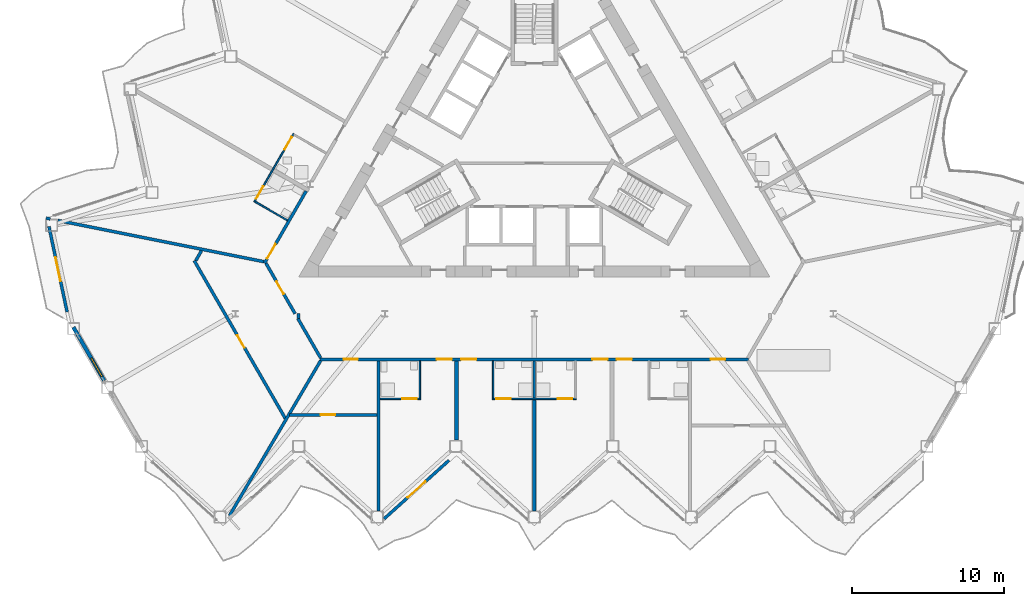
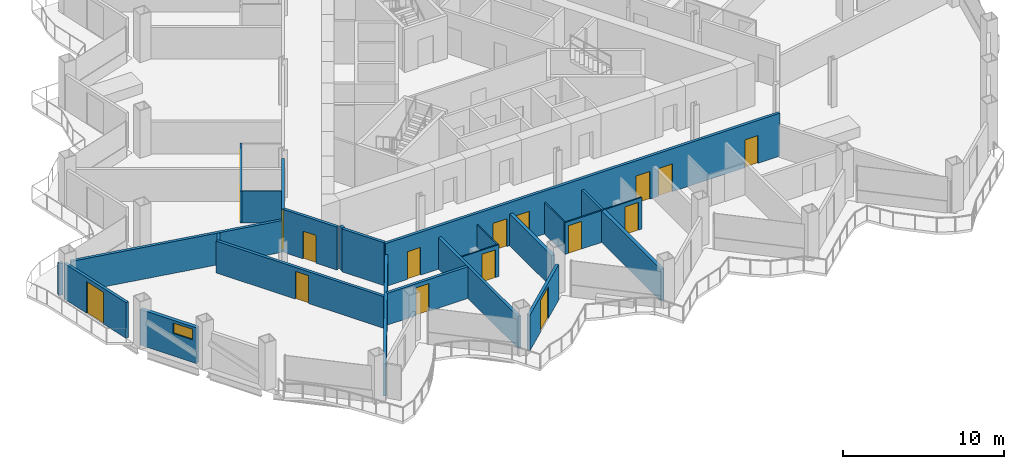
# One storey, part 10 of 23: 24 walls, 17 doors, 1 window, 18 openings.
"""IFC4 building model written with IfcOpenShell, lengths in metres."""

from ifc_helpers import new_model, si_unit, direction, frame, frame_2d, origin, place, context, subcontext, project, spatial, rectangle, extrude, material, layer, layer_set, type_object, element, fill, save


model = new_model("IFC4")

# Units and contexts
model_context = context("Model", 3, precision=1e-05, world=origin(), true_north=direction((0.0, 1.0)))
body_context = subcontext(model_context, "Body", "Model", "MODEL_VIEW")
ifc_project = project(units=[si_unit("LENGTHUNIT", "METRE"), si_unit("AREAUNIT", "SQUARE_METRE"), si_unit("VOLUMEUNIT", "CUBIC_METRE"), si_unit("PLANEANGLEUNIT", "RADIAN"), si_unit("MASSUNIT", "GRAM", prefix="KILO")], contexts=[model_context])

# Site, building, storey
site_placement = place(None, origin())
site = spatial("IfcSite", under=ifc_project, at=site_placement, CompositionType="ELEMENT")
building_placement = place(site_placement, origin())
building = spatial("IfcBuilding", under=site, at=building_placement, Name="Cormorant Prow Tower", CompositionType="ELEMENT")
storey_placement = place(building_placement, frame((0.0, 0.0, 172.800048828125)))
storey = spatial("IfcBuildingStorey", under=building, at=storey_placement, Name="L36", CompositionType="ELEMENT", Elevation=172.800048828125)

# Wall, openings, doors
ifc_material_1 = material(Name="Gypsum board corridor wall")
ifc_layer_1 = layer(ifc_material_1, 0.199951171875)
ifc_layer_set_1 = layer_set([ifc_layer_1], Name="Gypsum board corridor wall")
wall_type_1 = type_object("IfcWallType", Name="Corridor wall 200", PredefinedType="PARTITIONING", material=ifc_layer_set_1)
wall_1_placement = place(storey_placement, frame((-14.098876953125, -14.348876953125, 0.0), z_axis=(0.0, 0.0, 1.0), x_axis=(1.0, 0.0, 0.0)))
wall_1 = element("IfcWall", 1, at=wall_1_placement, inside=storey, type_object=wall_type_1, Name="Corridor wall", PredefinedType="PARTITIONING", context=body_context, shape_type="SweptSolid", body=[
    extrude(rectangle(XDim=28.19775390625, YDim=0.199951171875, at=frame_2d((14.098876953125, 0.0))), origin(), (0.0, 0.0, 1.0), 3.25),
])
opening_1_placement = place(wall_1_placement, frame((1.55224609375, 0.0, 0.0)))
opening_1 = element("IfcOpeningElement", 2, at=opening_1_placement, cuts=wall_1, Name="Opening L36-F01", PredefinedType="OPENING", context=body_context, shape_type="SweptSolid", body=[
    extrude(rectangle(XDim=0.949951171875, YDim=2.10009765625, at=frame_2d((0.47509765625, 1.050048828125))), frame((0.0, 0.10986328125, 0.0), z_axis=(0.0, -1.0, 0.0), x_axis=(1.0, 0.0, 0.0)), (0.0, 0.0, 1.0), 0.219970703125),
])
opening_2_placement = place(wall_1_placement, frame((7.67724609375, 0.0, 0.0)))
opening_2 = element("IfcOpeningElement", 3, at=opening_2_placement, cuts=wall_1, Name="Opening L36-F03", PredefinedType="OPENING", context=body_context, shape_type="SweptSolid", body=[
    extrude(rectangle(XDim=1.0, YDim=2.10009765625, at=frame_2d((0.5, 1.050048828125))), frame((0.0, 0.10986328125, 0.0), z_axis=(0.0, -1.0, 0.0), x_axis=(1.0, 0.0, 0.0)), (0.0, 0.0, 1.0), 0.219970703125),
])
opening_3_placement = place(wall_1_placement, frame((9.283203125, 0.0, 0.0)))
opening_3 = element("IfcOpeningElement", 4, at=opening_3_placement, cuts=wall_1, Name="Opening L36-F05", PredefinedType="OPENING", context=body_context, shape_type="SweptSolid", body=[
    extrude(rectangle(XDim=1.0, YDim=2.10009765625, at=frame_2d((0.5, 1.050048828125))), frame((0.0, 0.10986328125, 0.0), z_axis=(0.0, -1.0, 0.0), x_axis=(1.0, 0.0, 0.0)), (0.0, 0.0, 1.0), 0.219970703125),
])
opening_4_placement = place(wall_1_placement, frame((17.914794921875, 0.0, 0.0)))
opening_4 = element("IfcOpeningElement", 5, at=opening_4_placement, cuts=wall_1, Name="Opening L36-F07", PredefinedType="OPENING", context=body_context, shape_type="SweptSolid", body=[
    extrude(rectangle(XDim=1.0, YDim=2.10009765625, at=frame_2d((0.5, 1.050048828125))), frame((0.0, 0.10986328125, 0.0), z_axis=(0.0, -1.0, 0.0), x_axis=(1.0, 0.0, 0.0)), (0.0, 0.0, 1.0), 0.219970703125),
])
opening_5_placement = place(wall_1_placement, frame((19.5205078125, 0.0, 0.0)))
opening_5 = element("IfcOpeningElement", 6, at=opening_5_placement, cuts=wall_1, Name="Opening L36-F09", PredefinedType="OPENING", context=body_context, shape_type="SweptSolid", body=[
    extrude(rectangle(XDim=1.0, YDim=2.10009765625, at=frame_2d((0.5, 1.050048828125))), frame((0.0, 0.10986328125, 0.0), z_axis=(0.0, -1.0, 0.0), x_axis=(1.0, 0.0, 0.0)), (0.0, 0.0, 1.0), 0.219970703125),
])
opening_6_placement = place(wall_1_placement, frame((25.695556640625, 0.0, 0.0)))
opening_6 = element("IfcOpeningElement", 7, at=opening_6_placement, cuts=wall_1, Name="Opening L36-F11", PredefinedType="OPENING", context=body_context, shape_type="SweptSolid", body=[
    extrude(rectangle(XDim=0.949951171875, YDim=2.10009765625, at=frame_2d((0.47509765625, 1.050048828125))), frame((0.0, 0.10986328125, 0.0), z_axis=(0.0, -1.0, 0.0), x_axis=(1.0, 0.0, 0.0)), (0.0, 0.0, 1.0), 0.219970703125),
])
ifc_material_2 = material(Name="Timber door leaf", Category="wood")
door_type_1 = type_object("IfcDoorType", Name="Flat or room entrance door 1000x2100", OperationType="NOTDEFINED", PredefinedType="DOOR", material=ifc_material_2)
door_1_placement = place(opening_2_placement, origin())
door_1 = element("IfcDoor", 8, at=door_1_placement, inside=storey, type_object=door_type_1, Name="Guest room door", OperationType="SINGLE_SWING_RIGHT", OverallHeight=2.10009765625, OverallWidth=1.0, PredefinedType="DOOR", context=body_context, shape_type="SweptSolid", body=[
    extrude(rectangle(XDim=1.0, YDim=2.10009765625, at=frame_2d((0.5, 1.050048828125))), frame((0.0, 0.02490234375, 0.0), z_axis=(0.0, -1.0, 0.0), x_axis=(1.0, 0.0, 0.0)), (0.0, 0.0, 1.0), 0.050048828125),
])
fill(opening_2, door_1)
door_2_placement = place(opening_3_placement, origin())
door_2 = element("IfcDoor", 9, at=door_2_placement, inside=storey, type_object=door_type_1, Name="Guest room door", OperationType="SINGLE_SWING_LEFT", OverallHeight=2.10009765625, OverallWidth=1.0, PredefinedType="DOOR", context=body_context, shape_type="SweptSolid", body=[
    extrude(rectangle(XDim=1.0, YDim=2.10009765625, at=frame_2d((0.5, 1.050048828125))), frame((0.0, 0.02490234375, 0.0), z_axis=(0.0, -1.0, 0.0), x_axis=(1.0, 0.0, 0.0)), (0.0, 0.0, 1.0), 0.050048828125),
])
fill(opening_3, door_2)
door_3_placement = place(opening_4_placement, origin())
door_3 = element("IfcDoor", 10, at=door_3_placement, inside=storey, type_object=door_type_1, Name="Guest room door", OperationType="SINGLE_SWING_RIGHT", OverallHeight=2.10009765625, OverallWidth=1.0, PredefinedType="DOOR", context=body_context, shape_type="SweptSolid", body=[
    extrude(rectangle(XDim=1.0, YDim=2.10009765625, at=frame_2d((0.5, 1.050048828125))), frame((0.0, 0.02490234375, 0.0), z_axis=(0.0, -1.0, 0.0), x_axis=(1.0, 0.0, 0.0)), (0.0, 0.0, 1.0), 0.050048828125),
])
fill(opening_4, door_3)
door_4_placement = place(opening_5_placement, origin())
door_4 = element("IfcDoor", 11, at=door_4_placement, inside=storey, type_object=door_type_1, Name="Guest room door", OperationType="SINGLE_SWING_LEFT", OverallHeight=2.10009765625, OverallWidth=1.0, PredefinedType="DOOR", context=body_context, shape_type="SweptSolid", body=[
    extrude(rectangle(XDim=1.0, YDim=2.10009765625, at=frame_2d((0.5, 1.050048828125))), frame((0.0, 0.02490234375, 0.0), z_axis=(0.0, -1.0, 0.0), x_axis=(1.0, 0.0, 0.0)), (0.0, 0.0, 1.0), 0.050048828125),
])
fill(opening_5, door_4)
ifc_material_3 = material(Name="Timber door leaf", Category="wood")
door_type_2 = type_object("IfcDoorType", Name="Store door 950x2100", OperationType="NOTDEFINED", PredefinedType="DOOR", material=ifc_material_3)
door_5_placement = place(opening_1_placement, origin())
door_5 = element("IfcDoor", 12, at=door_5_placement, inside=storey, type_object=door_type_2, Name="Housekeeping room door", OperationType="SINGLE_SWING_RIGHT", OverallHeight=2.10009765625, OverallWidth=0.949951171875, PredefinedType="DOOR", context=body_context, shape_type="SweptSolid", body=[
    extrude(rectangle(XDim=0.949951171875, YDim=2.10009765625, at=frame_2d((0.47509765625, 1.050048828125))), frame((0.0, 0.02490234375, 0.0), z_axis=(0.0, -1.0, 0.0), x_axis=(1.0, 0.0, 0.0)), (0.0, 0.0, 1.0), 0.050048828125),
])
fill(opening_1, door_5)
door_6_placement = place(opening_6_placement, origin())
door_6 = element("IfcDoor", 13, at=door_6_placement, inside=storey, type_object=door_type_2, Name="Luggage store door", OperationType="SINGLE_SWING_RIGHT", OverallHeight=2.10009765625, OverallWidth=0.949951171875, PredefinedType="DOOR", context=body_context, shape_type="SweptSolid", body=[
    extrude(rectangle(XDim=0.949951171875, YDim=2.10009765625, at=frame_2d((0.47509765625, 1.050048828125))), frame((0.0, 0.02490234375, 0.0), z_axis=(0.0, -1.0, 0.0), x_axis=(1.0, 0.0, 0.0)), (0.0, 0.0, 1.0), 0.050048828125),
])
fill(opening_6, door_6)

# Wall, opening, door
wall_2_placement = place(storey_placement, frame((-17.743896484375, -8.035400390625, 0.0), z_axis=(0.0, 0.0, 1.0), x_axis=(0.500007607708, 0.866021011428, 0.0)))
wall_2 = element("IfcWall", 14, at=wall_2_placement, inside=storey, type_object=wall_type_1, Name="Corridor wall", PredefinedType="PARTITIONING", context=body_context, shape_type="SweptSolid", body=[
    extrude(rectangle(XDim=5.484375, YDim=0.199951171875, at=frame_2d((2.7421875, 0.0))), origin(), (0.0, 0.0, 1.0), 3.25),
])
opening_7_placement = place(wall_2_placement, frame((0.352294921875, 0.0, 0.0)))
opening_7 = element("IfcOpeningElement", 15, at=opening_7_placement, cuts=wall_2, Name="Opening L36-F31", PredefinedType="OPENING", context=body_context, shape_type="SweptSolid", body=[
    extrude(rectangle(XDim=1.10009765625, YDim=2.10009765625, at=frame_2d((0.550048828125, 1.050048828125))), frame((0.0, 0.10986328125, 0.0), z_axis=(0.0, -1.0, 0.0), x_axis=(1.0, 0.0, 0.0)), (0.0, 0.0, 1.0), 0.219970703125),
])
ifc_material_4 = material(Name="Timber door leaf", Category="wood")
door_type_3 = type_object("IfcDoorType", Name="Suite entrance door 1100x2100", OperationType="NOTDEFINED", PredefinedType="DOOR", material=ifc_material_4)
door_7_placement = place(opening_7_placement, origin())
door_7 = element("IfcDoor", 16, at=door_7_placement, inside=storey, type_object=door_type_3, Name="Junior suite door", OperationType="SINGLE_SWING_LEFT", OverallHeight=2.10009765625, OverallWidth=1.10009765625, PredefinedType="DOOR", context=body_context, shape_type="SweptSolid", body=[
    extrude(rectangle(XDim=1.10009765625, YDim=2.10009765625, at=frame_2d((0.550048828125, 1.050048828125))), frame((0.0, 0.02490234375, 0.0), z_axis=(0.0, -1.0, 0.0), x_axis=(1.0, 0.0, 0.0)), (0.0, 0.0, 1.0), 0.050048828125),
])
fill(opening_7, door_7)

wall_3_placement = place(storey_placement, frame((-17.643798828125, -8.035400390625, 0.0), z_axis=(0.0, 0.0, 1.0), x_axis=(0.499961815444, -0.866047448526, 0.0)))
wall_3 = element("IfcWall", 17, at=wall_3_placement, inside=storey, type_object=wall_type_1, Name="Corridor wall", PredefinedType="PARTITIONING", context=body_context, shape_type="SweptSolid", body=[
    extrude(rectangle(XDim=3.825927734375, YDim=0.199951171875, at=frame_2d((1.9130859375, 0.0))), origin(), (0.0, 0.0, 1.0), 3.25),
])
opening_8_placement = place(wall_3_placement, frame((1.38623046875, 0.0, 0.0)))
opening_8 = element("IfcOpeningElement", 18, at=opening_8_placement, cuts=wall_3, Name="Opening L36-F33", PredefinedType="OPENING", context=body_context, shape_type="SweptSolid", body=[
    extrude(rectangle(XDim=0.949951171875, YDim=2.10009765625, at=frame_2d((0.47509765625, 1.050048828125))), frame((0.0, 0.10986328125, 0.0), z_axis=(0.0, -1.0, 0.0), x_axis=(1.0, 0.0, 0.0)), (0.0, 0.0, 1.0), 0.219970703125),
])
door_8_placement = place(opening_8_placement, origin())
door_8 = element("IfcDoor", 19, at=door_8_placement, inside=storey, type_object=door_type_2, Name="Housekeeping room door", OperationType="SINGLE_SWING_RIGHT", OverallHeight=2.10009765625, OverallWidth=0.949951171875, PredefinedType="DOOR", context=body_context, shape_type="SweptSolid", body=[
    extrude(rectangle(XDim=0.949951171875, YDim=2.10009765625, at=frame_2d((0.47509765625, 1.050048828125))), frame((0.0, 0.02490234375, 0.0), z_axis=(0.0, -1.0, 0.0), x_axis=(1.0, 0.0, 0.0)), (0.0, 0.0, 1.0), 0.050048828125),
])
fill(opening_8, door_8)

# Walls
wall_4_placement = place(storey_placement, frame((-15.550048828125, -11.662353515625, 0.0), z_axis=(0.0, 0.0, 1.0), x_axis=(0.500048608389, -0.865997337899, 0.0)))
element("IfcWall", 20, at=wall_4_placement, inside=storey, type_object=wall_type_1, Name="Corridor wall", PredefinedType="PARTITIONING", context=body_context, shape_type="SweptSolid", body=[
    extrude(rectangle(XDim=3.002197265625, YDim=0.199951171875, at=frame_2d((1.5009765625, 0.0))), origin(), (0.0, 0.0, 1.0), 3.25),
])
wall_5_placement = place(storey_placement, frame((-15.5, -11.64892578125, 0.0), z_axis=(0.0, 0.0, 1.0), x_axis=(0.0, 1.0, 0.0)))
element("IfcWall", 21, at=wall_5_placement, inside=storey, type_object=wall_type_1, Name="Corridor wall", PredefinedType="PARTITIONING", context=body_context, shape_type="SweptSolid", body=[
    extrude(rectangle(XDim=0.31005859375, YDim=0.199951171875, at=frame_2d((0.155029296875, 0.0))), origin(), (0.0, 0.0, 1.0), 3.25),
])
ifc_material_5 = material(Name="Gypsum board demising wall")
ifc_layer_2 = layer(ifc_material_5, 0.199951171875)
ifc_layer_set_2 = layer_set([ifc_layer_2], Name="Gypsum board demising wall")
wall_type_2 = type_object("IfcWallType", Name="Demising wall 200", PredefinedType="PARTITIONING", material=ifc_layer_set_2)
wall_6_placement = place(storey_placement, frame((-31.3291015625, -5.220703125, 0.0), z_axis=(0.0, 0.0, 1.0), x_axis=(0.980565709097, -0.196190953266, 0.0)))
element("IfcWall", 22, at=wall_6_placement, inside=storey, type_object=wall_type_2, Name="Demising wall", PredefinedType="PARTITIONING", context=body_context, shape_type="SweptSolid", body=[
    extrude(rectangle(XDim=13.805419921875, YDim=0.199951171875, at=frame_2d((6.90283203125, 0.0))), origin(), (0.0, 0.0, 1.0), 2.404052734375),
])
wall_7_placement = place(storey_placement, frame((-20.046142578125, -24.632080078125, 0.0), z_axis=(0.0, 0.0, 1.0), x_axis=(0.50691549935, 0.86199575203, 0.0)))
element("IfcWall", 23, at=wall_7_placement, inside=storey, type_object=wall_type_2, Name="Demising wall", PredefinedType="PARTITIONING", context=body_context, shape_type="SweptSolid", body=[
    extrude(rectangle(XDim=11.82958984375, YDim=0.199951171875, at=frame_2d((5.914794921875, 0.0))), origin(), (0.0, 0.0, 1.0), 2.404052734375),
])

# Wall, opening, door
wall_8_placement = place(storey_placement, frame((-22.36279296875, -7.8623046875, 0.0), z_axis=(0.0, 0.0, 1.0), x_axis=(0.500009728207, -0.866019787128, 0.0)))
wall_8 = element("IfcWall", 24, at=wall_8_placement, inside=storey, type_object=wall_type_2, Name="Demising wall", PredefinedType="PARTITIONING", context=body_context, shape_type="SweptSolid", body=[
    extrude(rectangle(XDim=11.966552734375, YDim=0.199951171875, at=frame_2d((5.9833984375, 0.0))), origin(), (0.0, 0.0, 1.0), 2.404052734375),
])
opening_9_placement = place(wall_8_placement, frame((5.658447265625, 0.0, 0.0)))
opening_9 = element("IfcOpeningElement", 25, at=opening_9_placement, cuts=wall_8, Name="Opening L36-F34", PredefinedType="OPENING", context=body_context, shape_type="SweptSolid", body=[
    extrude(rectangle(XDim=0.949951171875, YDim=2.10009765625, at=frame_2d((0.47509765625, 1.050048828125))), frame((0.0, 0.10986328125, 0.0), z_axis=(0.0, -1.0, 0.0), x_axis=(1.0, 0.0, 0.0)), (0.0, 0.0, 1.0), 0.219970703125),
])
door_9_placement = place(opening_9_placement, origin())
door_9 = element("IfcDoor", 26, at=door_9_placement, inside=storey, type_object=door_type_2, Name="Ice and vending room door", OperationType="SINGLE_SWING_LEFT", OverallHeight=2.10009765625, OverallWidth=0.949951171875, PredefinedType="DOOR", context=body_context, shape_type="SweptSolid", body=[
    extrude(rectangle(XDim=0.949951171875, YDim=2.10009765625, at=frame_2d((0.47509765625, 1.050048828125))), frame((0.0, 0.02490234375, 0.0), z_axis=(0.0, -1.0, 0.0), x_axis=(1.0, 0.0, 0.0)), (0.0, 0.0, 1.0), 0.050048828125),
])
fill(opening_9, door_9)

# Wall
wall_9_placement = place(storey_placement, frame((-10.2314453125, -24.3115234375, 0.0), z_axis=(0.0, 0.0, 1.0), x_axis=(0.0, 1.0, 0.0)))
element("IfcWall", 27, at=wall_9_placement, inside=storey, type_object=wall_type_2, Name="Demising wall", PredefinedType="PARTITIONING", context=body_context, shape_type="SweptSolid", body=[
    extrude(rectangle(XDim=9.862548828125, YDim=0.199951171875, at=frame_2d((4.93115234375, 0.0))), origin(), (0.0, 0.0, 1.0), 2.404052734375),
])

# Wall, opening, door
wall_10_placement = place(storey_placement, frame((-16.106201171875, -17.998779296875, 0.0), z_axis=(0.0, 0.0, 1.0), x_axis=(1.0, 0.0, 0.0)))
wall_10 = element("IfcWall", 28, at=wall_10_placement, inside=storey, type_object=wall_type_2, Name="Demising wall", PredefinedType="PARTITIONING", context=body_context, shape_type="SweptSolid", body=[
    extrude(rectangle(XDim=5.77490234375, YDim=0.199951171875, at=frame_2d((2.887451171875, 0.0))), origin(), (0.0, 0.0, 1.0), 2.404052734375),
])
opening_10_placement = place(wall_10_placement, frame((2.060302734375, 0.0, 0.0)))
opening_10 = element("IfcOpeningElement", 29, at=opening_10_placement, cuts=wall_10, Name="Opening L36-F02", PredefinedType="OPENING", context=body_context, shape_type="SweptSolid", body=[
    extrude(rectangle(XDim=0.949951171875, YDim=2.10009765625, at=frame_2d((0.47509765625, 1.050048828125))), frame((0.0, 0.10986328125, 0.0), z_axis=(0.0, -1.0, 0.0), x_axis=(1.0, 0.0, 0.0)), (0.0, 0.0, 1.0), 0.219970703125),
])
door_10_placement = place(opening_10_placement, origin())
door_10 = element("IfcDoor", 30, at=door_10_placement, inside=storey, type_object=door_type_2, Name="Linen store door", OperationType="SINGLE_SWING_RIGHT", OverallHeight=2.10009765625, OverallWidth=0.949951171875, PredefinedType="DOOR", context=body_context, shape_type="SweptSolid", body=[
    extrude(rectangle(XDim=0.949951171875, YDim=2.10009765625, at=frame_2d((0.47509765625, 1.050048828125))), frame((0.0, 0.02490234375, 0.0), z_axis=(0.0, -1.0, 0.0), x_axis=(1.0, 0.0, 0.0)), (0.0, 0.0, 1.0), 0.050048828125),
])
fill(opening_10, door_10)

# Walls
wall_11_placement = place(storey_placement, frame((-22.2626953125, -7.8623046875, 0.0), z_axis=(0.0, 0.0, 1.0), x_axis=(0.499852814723, 0.866110364569, 0.0)))
element("IfcWall", 31, at=wall_11_placement, inside=storey, type_object=wall_type_2, Name="Demising wall", PredefinedType="PARTITIONING", context=body_context, shape_type="SweptSolid", body=[
    extrude(rectangle(XDim=0.756591796875, YDim=0.199951171875, at=frame_2d((0.37841796875, 0.0))), origin(), (0.0, 0.0, 1.0), 2.404052734375),
])
wall_12_placement = place(storey_placement, frame((-32.1025390625, -5.06591796875, 0.0), z_axis=(0.0, 0.0, 1.0), x_axis=(0.980512850695, -0.19645495571, 0.0)))
element("IfcWall", 32, at=wall_12_placement, inside=storey, type_object=wall_type_2, Name="Demising wall", PredefinedType="PARTITIONING", context=body_context, shape_type="SweptSolid", body=[
    extrude(rectangle(XDim=0.277099609375, YDim=0.199951171875, at=frame_2d((0.138671875, 0.0))), origin(), (0.0, 0.0, 1.0), 2.404052734375),
])

# Wall, openings, doors
ifc_material_6 = material(Name="Gypsum board partition")
ifc_layer_3 = layer(ifc_material_6, 0.10009765625)
ifc_layer_set_3 = layer_set([ifc_layer_3], Name="Gypsum board partition")
wall_type_3 = type_object("IfcWallType", Name="Internal partition 100", PredefinedType="PARTITIONING", material=ifc_layer_set_3)
wall_13_placement = place(storey_placement, frame((-2.75, -16.948974609375, 0.0), z_axis=(0.0, 0.0, 1.0), x_axis=(1.0, 0.0, 0.0)))
wall_13 = element("IfcWall", 33, at=wall_13_placement, inside=storey, type_object=wall_type_3, Name="Internal partition", PredefinedType="PARTITIONING", context=body_context, shape_type="SweptSolid", body=[
    extrude(rectangle(XDim=5.5, YDim=0.10009765625, at=frame_2d((2.75, 0.0))), origin(), (0.0, 0.0, 1.0), 2.404052734375),
])
opening_11_placement = place(wall_13_placement, frame((0.25, 0.0, 0.0)))
opening_11 = element("IfcOpeningElement", 34, at=opening_11_placement, cuts=wall_13, Name="Opening L36-F06", PredefinedType="OPENING", context=body_context, shape_type="SweptSolid", body=[
    extrude(rectangle(XDim=0.949951171875, YDim=2.10009765625, at=frame_2d((0.47509765625, 1.050048828125))), frame((0.0, 0.06005859375, 0.0), z_axis=(0.0, -1.0, 0.0), x_axis=(1.0, 0.0, 0.0)), (0.0, 0.0, 1.0), 0.1201171875),
])
opening_12_placement = place(wall_13_placement, frame((4.300048828125, 0.0, 0.0)))
opening_12 = element("IfcOpeningElement", 35, at=opening_12_placement, cuts=wall_13, Name="Opening L36-F08", PredefinedType="OPENING", context=body_context, shape_type="SweptSolid", body=[
    extrude(rectangle(XDim=0.949951171875, YDim=2.10009765625, at=frame_2d((0.47509765625, 1.050048828125))), frame((0.0, 0.06005859375, 0.0), z_axis=(0.0, -1.0, 0.0), x_axis=(1.0, 0.0, 0.0)), (0.0, 0.0, 1.0), 0.1201171875),
])
ifc_material_7 = material(Name="Timber door leaf", Category="wood")
door_type_4 = type_object("IfcDoorType", Name="Bathroom door 950x2100", OperationType="NOTDEFINED", PredefinedType="DOOR", material=ifc_material_7)
door_11_placement = place(opening_11_placement, origin())
door_11 = element("IfcDoor", 36, at=door_11_placement, inside=storey, type_object=door_type_4, Name="Guest room door", OperationType="SINGLE_SWING_LEFT", OverallHeight=2.10009765625, OverallWidth=0.949951171875, PredefinedType="DOOR", context=body_context, shape_type="SweptSolid", body=[
    extrude(rectangle(XDim=0.949951171875, YDim=2.10009765625, at=frame_2d((0.47509765625, 1.050048828125))), frame((0.0, 0.02490234375, 0.0), z_axis=(0.0, -1.0, 0.0), x_axis=(1.0, 0.0, 0.0)), (0.0, 0.0, 1.0), 0.050048828125),
])
fill(opening_11, door_11)
door_12_placement = place(opening_12_placement, origin())
door_12 = element("IfcDoor", 37, at=door_12_placement, inside=storey, type_object=door_type_4, Name="Guest room door", OperationType="SINGLE_SWING_RIGHT", OverallHeight=2.10009765625, OverallWidth=0.949951171875, PredefinedType="DOOR", context=body_context, shape_type="SweptSolid", body=[
    extrude(rectangle(XDim=0.949951171875, YDim=2.10009765625, at=frame_2d((0.47509765625, 1.050048828125))), frame((0.0, 0.02490234375, 0.0), z_axis=(0.0, -1.0, 0.0), x_axis=(1.0, 0.0, 0.0)), (0.0, 0.0, 1.0), 0.050048828125),
])
fill(opening_12, door_12)

wall_14_placement = place(storey_placement, frame((-18.4208984375, -4.008056640625, 0.0), z_axis=(0.0, 0.0, 1.0), x_axis=(0.500006934395, 0.866021400173, 0.0)))
wall_14 = element("IfcWall", 38, at=wall_14_placement, inside=storey, type_object=wall_type_3, Name="Internal partition", PredefinedType="PARTITIONING", context=body_context, shape_type="SweptSolid", body=[
    extrude(rectangle(XDim=5.2001953125, YDim=0.10009765625, at=frame_2d((2.60009765625, 0.0))), origin(), (0.0, 0.0, 1.0), 2.404052734375),
])
opening_13_placement = place(wall_14_placement, frame((4.0, 0.0, 0.0)))
opening_13 = element("IfcOpeningElement", 39, at=opening_13_placement, cuts=wall_14, Name="Opening L36-F30", PredefinedType="OPENING", context=body_context, shape_type="SweptSolid", body=[
    extrude(rectangle(XDim=0.949951171875, YDim=2.10009765625, at=frame_2d((0.47509765625, 1.050048828125))), frame((0.0, 0.06005859375, 0.0), z_axis=(0.0, -1.0, 0.0), x_axis=(1.0, 0.0, 0.0)), (0.0, 0.0, 1.0), 0.1201171875),
])
opening_14_placement = place(wall_14_placement, frame((0.25, 0.0, 0.0)))
opening_14 = element("IfcOpeningElement", 40, at=opening_14_placement, cuts=wall_14, Name="Opening L36-F32", PredefinedType="OPENING", context=body_context, shape_type="SweptSolid", body=[
    extrude(rectangle(XDim=0.949951171875, YDim=2.10009765625, at=frame_2d((0.47509765625, 1.050048828125))), frame((0.0, 0.06005859375, 0.0), z_axis=(0.0, -1.0, 0.0), x_axis=(1.0, 0.0, 0.0)), (0.0, 0.0, 1.0), 0.1201171875),
])
door_13_placement = place(opening_13_placement, origin())
door_13 = element("IfcDoor", 41, at=door_13_placement, inside=storey, type_object=door_type_4, Name="Guest room door", OperationType="SINGLE_SWING_RIGHT", OverallHeight=2.10009765625, OverallWidth=0.949951171875, PredefinedType="DOOR", context=body_context, shape_type="SweptSolid", body=[
    extrude(rectangle(XDim=0.949951171875, YDim=2.10009765625, at=frame_2d((0.47509765625, 1.050048828125))), frame((0.0, 0.02490234375, 0.0), z_axis=(0.0, -1.0, 0.0), x_axis=(1.0, 0.0, 0.0)), (0.0, 0.0, 1.0), 0.050048828125),
])
fill(opening_13, door_13)
door_14_placement = place(opening_14_placement, origin())
door_14 = element("IfcDoor", 42, at=door_14_placement, inside=storey, type_object=door_type_4, Name="Junior suite door", OperationType="SINGLE_SWING_LEFT", OverallHeight=2.10009765625, OverallWidth=0.949951171875, PredefinedType="DOOR", context=body_context, shape_type="SweptSolid", body=[
    extrude(rectangle(XDim=0.949951171875, YDim=2.10009765625, at=frame_2d((0.47509765625, 1.050048828125))), frame((0.0, 0.02490234375, 0.0), z_axis=(0.0, -1.0, 0.0), x_axis=(1.0, 0.0, 0.0)), (0.0, 0.0, 1.0), 0.050048828125),
])
fill(opening_14, door_14)

# Wall, opening, door
wall_15_placement = place(storey_placement, frame((-10.13134765625, -16.948974609375, 0.0), z_axis=(0.0, 0.0, 1.0), x_axis=(1.0, 0.0, 0.0)))
wall_15 = element("IfcWall", 43, at=wall_15_placement, inside=storey, type_object=wall_type_3, Name="Internal partition", PredefinedType="PARTITIONING", context=body_context, shape_type="SweptSolid", body=[
    extrude(rectangle(XDim=2.64990234375, YDim=0.10009765625, at=frame_2d((1.324951171875, 0.0))), origin(), (0.0, 0.0, 1.0), 2.404052734375),
])
opening_15_placement = place(wall_15_placement, frame((1.449951171875, 0.0, 0.0)))
opening_15 = element("IfcOpeningElement", 44, at=opening_15_placement, cuts=wall_15, Name="Opening L36-F04", PredefinedType="OPENING", context=body_context, shape_type="SweptSolid", body=[
    extrude(rectangle(XDim=0.949951171875, YDim=2.10009765625, at=frame_2d((0.47509765625, 1.050048828125))), frame((0.0, 0.06005859375, 0.0), z_axis=(0.0, -1.0, 0.0), x_axis=(1.0, 0.0, 0.0)), (0.0, 0.0, 1.0), 0.1201171875),
])
door_15_placement = place(opening_15_placement, origin())
door_15 = element("IfcDoor", 45, at=door_15_placement, inside=storey, type_object=door_type_4, Name="Guest room door", OperationType="SINGLE_SWING_RIGHT", OverallHeight=2.10009765625, OverallWidth=0.949951171875, PredefinedType="DOOR", context=body_context, shape_type="SweptSolid", body=[
    extrude(rectangle(XDim=0.949951171875, YDim=2.10009765625, at=frame_2d((0.47509765625, 1.050048828125))), frame((0.0, 0.02490234375, 0.0), z_axis=(0.0, -1.0, 0.0), x_axis=(1.0, 0.0, 0.0)), (0.0, 0.0, 1.0), 0.050048828125),
])
fill(opening_15, door_15)

# Walls
for number, where, z_axis, x_axis, name in (
    (46, (-18.3525390625, -3.98974609375, 0.0), (0.0, 0.0, 1.0), (0.866057815567, -0.499943856944, 0.0), "Internal partition"),
    (47, (-7.531494140625, -16.89892578125, 0.0), (0.0, 0.0, 1.0), (0.0, 1.0, 0.0), "Internal partition"),
    (48, (-2.699951171875, -16.89892578125, 0.0), (0.0, 0.0, 1.0), (0.0, 1.0, 0.0), "Internal partition"),
):
    element("IfcWall", number, at=place(storey_placement, frame(where, z_axis=z_axis, x_axis=x_axis)), inside=storey, type_object=wall_type_3, Name=name, PredefinedType="PARTITIONING", context=body_context, shape_type="SweptSolid", body=[
        extrude(rectangle(XDim=2.449951171875, YDim=0.10009765625, at=frame_2d((1.22509765625, 0.0))), origin(), (0.0, 0.0, 1.0), 2.404052734375),
    ])
ifc_material_8 = material(Name="Acoustic gypsum party wall")
ifc_layer_4 = layer(ifc_material_8, 0.25)
ifc_layer_set_4 = layer_set([ifc_layer_4], Name="Acoustic gypsum party wall")
wall_type_4 = type_object("IfcWallType", Name="Suite party wall 250", PredefinedType="PARTITIONING", material=ifc_layer_set_4)
wall_16_placement = place(storey_placement, frame((0.0, -24.3115234375, 0.0), z_axis=(0.0, 0.0, 1.0), x_axis=(0.0, 1.0, 0.0)))
element("IfcWall", 49, at=wall_16_placement, inside=storey, type_object=wall_type_4, Name="Suite party wall", PredefinedType="PARTITIONING", context=body_context, shape_type="SweptSolid", body=[
    extrude(rectangle(XDim=7.312744140625, YDim=0.25, at=frame_2d((3.65625, 0.0))), origin(), (0.0, 0.0, 1.0), 2.404052734375),
])
wall_17_placement = place(storey_placement, frame((-5.11572265625, -19.661376953125, 0.0), z_axis=(0.0, 0.0, 1.0), x_axis=(0.0, 1.0, 0.0)))
element("IfcWall", 50, at=wall_17_placement, inside=storey, type_object=wall_type_4, Name="Suite party wall", PredefinedType="PARTITIONING", context=body_context, shape_type="SweptSolid", body=[
    extrude(rectangle(XDim=5.21240234375, YDim=0.25, at=frame_2d((2.606201171875, 0.0))), origin(), (0.0, 0.0, 1.0), 2.404052734375),
])

# Wall, opening, window
ifc_material_9 = material(Name="Terracotta", Category="masonry")
ifc_layer_5 = layer(ifc_material_9, 0.25)
ifc_layer_set_5 = layer_set([ifc_layer_5], Name="Terracotta")
wall_type_5 = type_object("IfcWallType", Name="Terracotta bay wall 250", PredefinedType="SOLIDWALL", material=ifc_layer_set_5)
wall_18_placement = place(storey_placement, frame((-30.310302734375, -12.23876953125, 0.0), z_axis=(0.0, 0.0, 1.0), x_axis=(0.500005680777, -0.866022123962, 0.0)))
wall_18 = element("IfcWall", 51, at=wall_18_placement, inside=storey, type_object=wall_type_5, Name="Terracotta bay wall WSW00", PredefinedType="SOLIDWALL", context=body_context, shape_type="SweptSolid", body=[
    extrude(rectangle(XDim=4.05419921875, YDim=0.25, at=frame_2d((2.027099609375, 0.0))), origin(), (0.0, 0.0, 1.0), 2.700927734375),
])
opening_16_placement = place(wall_18_placement, frame((2.35009765625, 0.0, 1.699951171875)))
opening_16 = element("IfcOpeningElement", 52, at=opening_16_placement, cuts=wall_18, Name="Opening WN3", PredefinedType="OPENING", context=body_context, shape_type="SweptSolid", body=[
    extrude(rectangle(XDim=1.39990234375, YDim=0.800048828125, at=frame_2d((0.699951171875, 0.39990234375))), frame((0.0, 0.135009765625, 0.0), z_axis=(0.0, -1.0, 0.0), x_axis=(1.0, 0.0, 0.0)), (0.0, 0.0, 1.0), 0.27001953125),
])
ifc_material_10 = material(Name="Aluminium 6063-T6", Category="aluminium")
window_type = type_object("IfcWindowType", Name="Corner bay window 1400x800", PartitioningType="SINGLE_PANEL", PredefinedType="WINDOW", material=ifc_material_10)
window_placement = place(opening_16_placement, origin())
window = element("IfcWindow", 53, at=window_placement, inside=storey, type_object=window_type, Name="Corner bay window WSW00", OverallHeight=0.800048828125, OverallWidth=1.39990234375, PartitioningType="SINGLE_PANEL", PredefinedType="WINDOW", context=body_context, shape_type="SweptSolid", body=[
    extrude(rectangle(XDim=1.39990234375, YDim=0.800048828125, at=frame_2d((0.699951171875, 0.39990234375))), frame((0.0, 0.030029296875, 0.0), z_axis=(0.0, -1.0, 0.0), x_axis=(1.0, 0.0, 0.0)), (0.0, 0.0, 1.0), 0.06005859375),
])
fill(opening_16, window)

# Wall, opening, door
ifc_material_11 = material(Name="Terracotta", Category="masonry")
ifc_layer_6 = layer(ifc_material_11, 0.199951171875)
ifc_layer_set_6 = layer_set([ifc_layer_6], Name="Terracotta")
wall_type_6 = type_object("IfcWallType", Name="Terracotta jamb wall 200", PredefinedType="SOLIDWALL", material=ifc_layer_set_6)
wall_19_placement = place(storey_placement, frame((-9.876220703125, -24.836181640625, 0.0), z_axis=(0.0, 0.0, 1.0), x_axis=(0.74315473474, 0.669119600844, 0.0)))
wall_19 = element("IfcWall", 54, at=wall_19_placement, inside=storey, type_object=wall_type_6, Name="Terracotta jamb wall S03", PredefinedType="SOLIDWALL", context=body_context, shape_type="SweptSolid", body=[
    extrude(rectangle(XDim=5.747802734375, YDim=0.199951171875, at=frame_2d((2.8740234375, 0.0))), origin(), (0.0, 0.0, 1.0), 2.700927734375),
])
opening_17_placement = place(wall_19_placement, frame((2.073974609375, 0.0, 0.0)))
opening_17 = element("IfcOpeningElement", 55, at=opening_17_placement, cuts=wall_19, Name="Opening ED36.02", PredefinedType="OPENING", context=body_context, shape_type="SweptSolid", body=[
    extrude(rectangle(XDim=1.60009765625, YDim=2.39990234375, at=frame_2d((0.800048828125, 1.199951171875))), frame((0.0, 0.10986328125, 0.0), z_axis=(0.0, -1.0, 0.0), x_axis=(1.0, 0.0, 0.0)), (0.0, 0.0, 1.0), 0.219970703125),
])
ifc_material_12 = material(Name="Aluminium 6063-T6", Category="aluminium")
door_type_5 = type_object("IfcDoorType", Name="Balcony door 1600x2400", OperationType="DOUBLE_DOOR_SINGLE_SWING", PredefinedType="DOOR", material=ifc_material_12)
door_16_placement = place(opening_17_placement, origin())
door_16 = element("IfcDoor", 56, at=door_16_placement, inside=storey, type_object=door_type_5, Name="Balcony door S03 ED36.02", OperationType="DOUBLE_DOOR_SINGLE_SWING", OverallHeight=2.39990234375, OverallWidth=1.60009765625, PredefinedType="DOOR", context=body_context, shape_type="SweptSolid", body=[
    extrude(rectangle(XDim=1.60009765625, YDim=2.39990234375, at=frame_2d((0.800048828125, 1.199951171875))), frame((0.0, 0.02490234375, 0.0), z_axis=(0.0, -1.0, 0.0), x_axis=(1.0, 0.0, 0.0)), (0.0, 0.0, 1.0), 0.050048828125),
])
fill(opening_17, door_16)

wall_20_placement = place(storey_placement, frame((-31.917724609375, -5.61083984375, 0.0), z_axis=(0.0, 0.0, 1.0), x_axis=(0.207913110781, -0.97814729891, 0.0)))
wall_20 = element("IfcWall", 57, at=wall_20_placement, inside=storey, type_object=wall_type_6, Name="Terracotta jamb wall WNW09", PredefinedType="SOLIDWALL", context=body_context, shape_type="SweptSolid", body=[
    extrude(rectangle(XDim=5.747802734375, YDim=0.199951171875, at=frame_2d((2.8740234375, 0.0))), origin(), (0.0, 0.0, 1.0), 2.700927734375),
])
opening_18_placement = place(wall_20_placement, frame((2.073974609375, 0.0, 0.0)))
opening_18 = element("IfcOpeningElement", 58, at=opening_18_placement, cuts=wall_20, Name="Opening ED36.15", PredefinedType="OPENING", context=body_context, shape_type="SweptSolid", body=[
    extrude(rectangle(XDim=1.60009765625, YDim=2.39990234375, at=frame_2d((0.800048828125, 1.199951171875))), frame((0.0, 0.10986328125, 0.0), z_axis=(0.0, -1.0, 0.0), x_axis=(1.0, 0.0, 0.0)), (0.0, 0.0, 1.0), 0.219970703125),
])
door_17_placement = place(opening_18_placement, origin())
door_17 = element("IfcDoor", 59, at=door_17_placement, inside=storey, type_object=door_type_5, Name="Balcony door WNW09 ED36.15", OperationType="DOUBLE_DOOR_SINGLE_SWING", OverallHeight=2.39990234375, OverallWidth=1.60009765625, PredefinedType="DOOR", context=body_context, shape_type="SweptSolid", body=[
    extrude(rectangle(XDim=1.60009765625, YDim=2.39990234375, at=frame_2d((0.800048828125, 1.199951171875))), frame((0.0, 0.02490234375, 0.0), z_axis=(0.0, -1.0, 0.0), x_axis=(1.0, 0.0, 0.0)), (0.0, 0.0, 1.0), 0.050048828125),
])
fill(opening_18, door_17)

# Wall
ifc_material_13 = material(Name="Plasterboard wet wall with pipe chase")
ifc_layer_7 = layer(ifc_material_13, 0.14990234375)
ifc_layer_set_7 = layer_set([ifc_layer_7], Name="Plasterboard wet wall with pipe chase")
wall_type_7 = type_object("IfcWallType", Name="Wet wall 150", PredefinedType="PLUMBINGWALL", material=ifc_layer_set_7)
wall_21_placement = place(storey_placement, frame((0.0, -16.89892578125, 0.0), z_axis=(0.0, 0.0, 1.0), x_axis=(0.0, 1.0, 0.0)))
element("IfcWall", 60, at=wall_21_placement, inside=storey, type_object=wall_type_7, Name="Wet wall", PredefinedType="PLUMBINGWALL", context=body_context, shape_type="SweptSolid", body=[
    extrude(rectangle(XDim=2.449951171875, YDim=0.14990234375, at=frame_2d((1.22509765625, 0.0))), origin(), (0.0, 0.0, 1.0), 2.404052734375),
])

save(model, "model.ifc")
